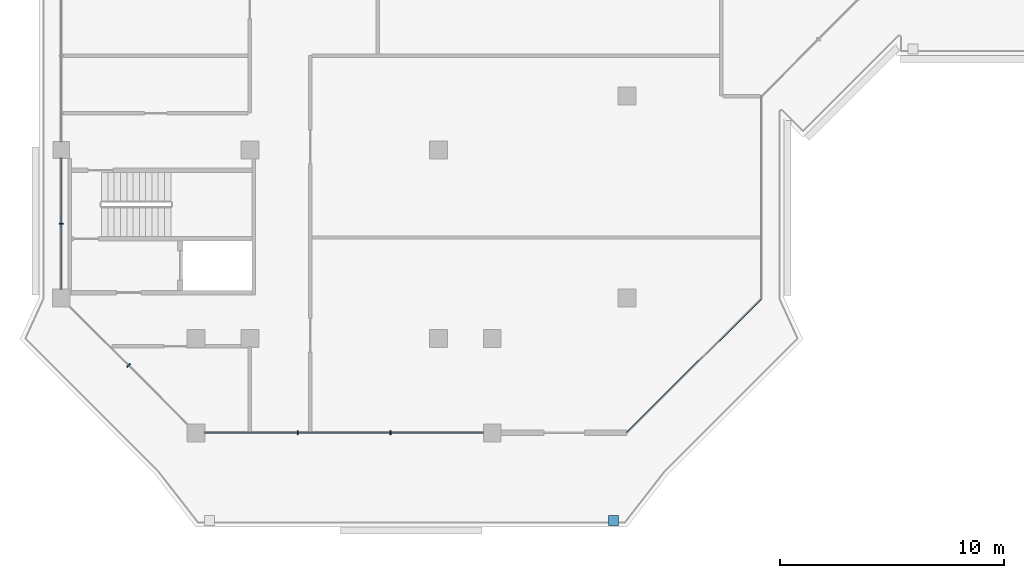
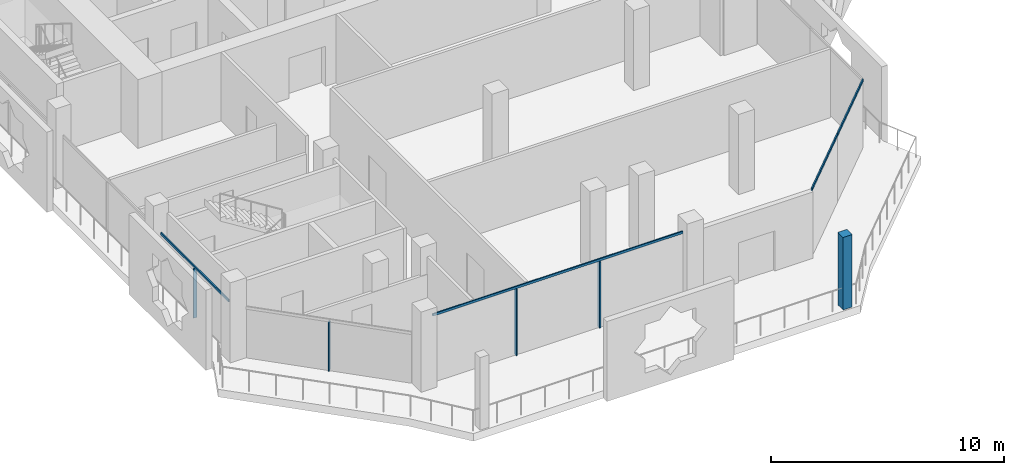
# One storey, part 2 of 20: 9 members, 5 elements without a shape of their own.
"""IFC4 building model written with IfcOpenShell, lengths in metres."""

from ifc_helpers import new_model, si_unit, direction, frame, origin, origin_2d, place, context, subcontext, project, spatial, rectangle, extrude, material, layer, layer_set, material_profile, profile_set, type_object, element, aggregate, save


model = new_model("IFC4")

# Units and contexts
model_context = context("Model", 3, precision=1e-05, world=origin(), true_north=direction((0.0, 1.0)))
body_context = subcontext(model_context, "Body", "Model", "MODEL_VIEW")
ifc_project = project(units=[si_unit("LENGTHUNIT", "METRE"), si_unit("AREAUNIT", "SQUARE_METRE"), si_unit("VOLUMEUNIT", "CUBIC_METRE"), si_unit("PLANEANGLEUNIT", "RADIAN"), si_unit("MASSUNIT", "GRAM", prefix="KILO")], contexts=[model_context])

# Site, building, storey
site_placement = place(None, origin())
site = spatial("IfcSite", under=ifc_project, at=site_placement, CompositionType="ELEMENT")
building_placement = place(site_placement, origin())
building = spatial("IfcBuilding", under=site, at=building_placement, Name="Kawkab Arch Medical Tower", CompositionType="ELEMENT")
storey_placement = place(building_placement, frame((0.0, 0.0, 277.60009765625)))
storey = spatial("IfcBuildingStorey", under=building, at=storey_placement, Name="L64", CompositionType="ELEMENT", Elevation=277.60009765625)

# Curtain wall, member
ifc_material_1 = material(Name="Bronze anodised aluminium curtain wall frame", Category="aluminium")
ifc_layer_1 = layer(ifc_material_1, 0.159912109375)
ifc_layer_set_1 = layer_set([ifc_layer_1], Name="Bronze anodised aluminium curtain wall frame")
curtain_wall_type_1 = type_object("IfcCurtainWallType", Name="CW1 ward curtain wall", PredefinedType="NOTDEFINED", material=ifc_layer_set_1)
placement = place(storey_placement, origin())
curtain_wall_1 = element("IfcCurtainWall", 1, at=placement, inside=storey, type_object=curtain_wall_type_1, Name="CW1 Ward curtain wall R12", PredefinedType="NOTDEFINED")
ifc_material_2 = material(Name="Bronze anodised aluminium curtain wall frame", Category="aluminium")
ifc_material_profile_1 = material_profile(ifc_material_2, rectangle(XDim=0.179931640625, YDim=0.06005859375, at=origin_2d()), Name="AL 60x180")
ifc_profile_set_1 = profile_set([ifc_material_profile_1], Name="Bronze anodised aluminium curtain wall frame")
member_type_1 = type_object("IfcMemberType", Name="CW1 mullion 60 x 180", PredefinedType="MULLION", material=ifc_profile_set_1)
member_1_placement = place(storey_placement, frame((0.0, -36.887451171875, 0.0), z_axis=(0.0, 0.0, 1.0), x_axis=(1.0, 0.0, 0.0)))
member_1 = element("IfcMember", 2, at=member_1_placement, type_object=member_type_1, Name="CW1 mullion 4.1", PredefinedType="MULLION", context=body_context, shape_type="SweptSolid", body=[
    extrude(rectangle(XDim=0.179931640625, YDim=0.06005859375, at=origin_2d()), origin(), (0.0, 0.0, 1.0), 2.579833984375),
])

# Curtain wall, members
curtain_wall_2 = element("IfcCurtainWall", 3, at=placement, inside=storey, type_object=curtain_wall_type_1, Name="CW1 Ward curtain wall R14", PredefinedType="NOTDEFINED")
member_2_placement = place(storey_placement, frame((10.533447265625, -46.199951171875, 0.0), z_axis=(0.0, 0.0, 1.0), x_axis=(0.0, 1.0, 0.0)))
member_2 = element("IfcMember", 4, at=member_2_placement, type_object=member_type_1, Name="CW1 mullion 1.1", PredefinedType="MULLION", context=body_context, shape_type="SweptSolid", body=[
    extrude(rectangle(XDim=0.179931640625, YDim=0.06005859375, at=origin_2d()), origin(), (0.0, 0.0, 1.0), 3.47998046875),
])
member_3_placement = place(storey_placement, frame((14.666748046875, -46.199951171875, 0.0), z_axis=(0.0, 0.0, 1.0), x_axis=(0.0, 1.0, 0.0)))
member_3 = element("IfcMember", 5, at=member_3_placement, type_object=member_type_1, Name="CW1 mullion 1.2", PredefinedType="MULLION", context=body_context, shape_type="SweptSolid", body=[
    extrude(rectangle(XDim=0.179931640625, YDim=0.06005859375, at=origin_2d()), origin(), (0.0, 0.0, 1.0), 3.47998046875),
])

# Member
ifc_material_3 = material(Name="Bronze anodised aluminium curtain wall frame", Category="aluminium")
ifc_material_profile_2 = material_profile(ifc_material_3, rectangle(XDim=0.06005859375, YDim=0.1201171875, at=origin_2d()), Name="AL 60x120")
ifc_profile_set_2 = profile_set([ifc_material_profile_2], Name="Bronze anodised aluminium curtain wall frame")
member_type_2 = type_object("IfcMemberType", Name="CW1 transom 120 x 60", PredefinedType="USERDEFINED", material=ifc_profile_set_2)
member_4_placement = place(storey_placement, frame((0.0, -33.97509765625, 2.639892578125), z_axis=(0.0, -1.0, 0.0), x_axis=(1.0, 0.0, 0.0)))
member_4 = element("IfcMember", 6, at=member_4_placement, type_object=member_type_2, Name="CW1 transom 4", ObjectType="TRANSOM", PredefinedType="USERDEFINED", context=body_context, shape_type="SweptSolid", body=[
    extrude(rectangle(XDim=0.06005859375, YDim=0.1201171875, at=origin_2d()), origin(), (0.0, 0.0, 1.0), 5.824951171875),
])

aggregate(curtain_wall_1, [member_4, member_1])

member_5_placement = place(storey_placement, frame((6.39990234375, -46.199951171875, 3.539794921875), z_axis=(1.0, 0.0, 0.0), x_axis=(0.0, 1.0, 0.0)))
member_5 = element("IfcMember", 7, at=member_5_placement, type_object=member_type_2, Name="CW1 transom 1", ObjectType="TRANSOM", PredefinedType="USERDEFINED", context=body_context, shape_type="SweptSolid", body=[
    extrude(rectangle(XDim=0.06005859375, YDim=0.1201171875, at=origin_2d()), origin(), (0.0, 0.0, 1.0), 12.400146484375),
])

aggregate(curtain_wall_2, [member_5, member_2, member_3])

# Curtain wall, member
ifc_material_4 = material(Name="Bronze anodised aluminium curtain wall frame", Category="aluminium")
ifc_layer_2 = layer(ifc_material_4, 0.159912109375)
ifc_layer_set_2 = layer_set([ifc_layer_2], Name="Bronze anodised aluminium curtain wall frame")
curtain_wall_type_2 = type_object("IfcCurtainWallType", Name="CW2 chamfer curtain wall", PredefinedType="NOTDEFINED", material=ifc_layer_set_2)
curtain_wall_3 = element("IfcCurtainWall", 8, at=placement, inside=storey, type_object=curtain_wall_type_2, Name="CW2 Chamfer curtain wall R13", PredefinedType="NOTDEFINED")
ifc_material_5 = material(Name="Bronze anodised aluminium curtain wall frame", Category="aluminium")
ifc_material_profile_3 = material_profile(ifc_material_5, rectangle(XDim=0.199951171875, YDim=0.06005859375, at=origin_2d()), Name="AL 60x200")
ifc_profile_set_3 = profile_set([ifc_material_profile_3], Name="Bronze anodised aluminium curtain wall frame")
member_type_3 = type_object("IfcMemberType", Name="CW2 mullion 60 x 200", PredefinedType="MULLION", material=ifc_profile_set_3)
member_6_placement = place(storey_placement, frame((3.0, -43.199951171875, 0.0), z_axis=(0.0, 0.0, 1.0), x_axis=(0.707106781187, 0.707106781187, 0.0)))
member_6 = element("IfcMember", 9, at=member_6_placement, type_object=member_type_3, Name="CW2 mullion 1.1", PredefinedType="MULLION", context=body_context, shape_type="SweptSolid", body=[
    extrude(rectangle(XDim=0.199951171875, YDim=0.06005859375, at=origin_2d()), origin(), (0.0, 0.0, 1.0), 2.559814453125),
])
aggregate(curtain_wall_3, [member_6])

# Curtain wall, members
curtain_wall_4 = element("IfcCurtainWall", 10, at=placement, inside=storey, type_object=curtain_wall_type_2, Name="CW2 Chamfer curtain wall R15", PredefinedType="NOTDEFINED")
ifc_material_6 = material(Name="Bronze anodised aluminium curtain wall frame", Category="aluminium")
ifc_material_profile_4 = material_profile(ifc_material_6, rectangle(XDim=0.06005859375, YDim=0.139892578125, at=origin_2d()), Name="AL 60x140")
ifc_profile_set_4 = profile_set([ifc_material_profile_4], Name="Bronze anodised aluminium curtain wall frame")
member_type_4 = type_object("IfcMemberType", Name="CW2 transom 140 x 60", PredefinedType="USERDEFINED", material=ifc_profile_set_4)
member_7_placement = place(storey_placement, frame((25.199951171875, -46.199951171875, 3.52978515625), z_axis=(0.707106781187, 0.707106781187, 0.0), x_axis=(-0.707106781187, 0.707106781187, 0.0)))
member_7 = element("IfcMember", 11, at=member_7_placement, type_object=member_type_4, Name="CW2 transom 1", ObjectType="TRANSOM", PredefinedType="USERDEFINED", context=body_context, shape_type="SweptSolid", body=[
    extrude(rectangle(XDim=0.06005859375, YDim=0.139892578125, at=origin_2d()), origin(), (0.0, 0.0, 1.0), 4.24267578125),
])
member_8_placement = place(storey_placement, frame((28.199951171875, -43.199951171875, 3.52978515625), z_axis=(0.707106781187, 0.707106781187, 0.0), x_axis=(-0.707106781187, 0.707106781187, 0.0)))
member_8 = element("IfcMember", 12, at=member_8_placement, type_object=member_type_4, Name="CW2 transom 2", ObjectType="TRANSOM", PredefinedType="USERDEFINED", context=body_context, shape_type="SweptSolid", body=[
    extrude(rectangle(XDim=0.06005859375, YDim=0.139892578125, at=origin_2d()), origin(), (0.0, 0.0, 1.0), 4.24267578125),
])
aggregate(curtain_wall_4, [member_7, member_8])

# Curtain wall, member
ifc_material_7 = material(Name="Bronze anodised aluminium climber frame, planted", Category="aluminium")
ifc_layer_3 = layer(ifc_material_7, 0.449951171875)
ifc_layer_set_3 = layer_set([ifc_layer_3], Name="Bronze anodised aluminium climber frame, planted")
curtain_wall_type_3 = type_object("IfcCurtainWallType", Name="Planted climber frame", PredefinedType="NOTDEFINED", material=ifc_layer_set_3)
curtain_wall_5 = element("IfcCurtainWall", 13, at=placement, inside=storey, type_object=curtain_wall_type_3, Name="Planted climber frame L64", PredefinedType="NOTDEFINED")
ifc_material_8 = material(Name="Bronze anodised aluminium climber frame, planted", Category="aluminium")
ifc_material_profile_5 = material_profile(ifc_material_8, rectangle(XDim=0.449951171875, YDim=0.449951171875, at=origin_2d()), Name="Post 450x450")
ifc_profile_set_5 = profile_set([ifc_material_profile_5], Name="Bronze anodised aluminium climber frame, planted")
member_type_5 = type_object("IfcMemberType", Name="Planted climber post 450 x 450", PredefinedType="MULLION", material=ifc_profile_set_5)
member_9_placement = place(storey_placement, frame((24.60302734375, -50.10009765625, 0.0), z_axis=(0.0, 0.0, 1.0), x_axis=(1.0, 0.0, 0.0)))
member_9 = element("IfcMember", 14, at=member_9_placement, type_object=member_type_5, Name="Planted climber post L64.LOG-01-01.3", PredefinedType="MULLION", context=body_context, shape_type="SweptSolid", body=[
    extrude(rectangle(XDim=0.449951171875, YDim=0.449951171875, at=origin_2d()), origin(), (0.0, 0.0, 1.0), 3.7998046875),
])
aggregate(curtain_wall_5, [member_9])

save(model, "model.ifc")
